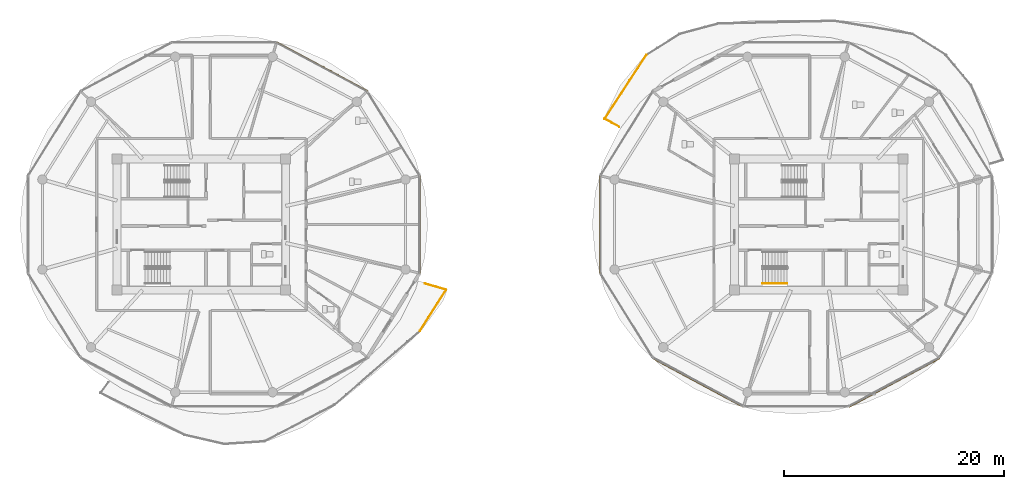
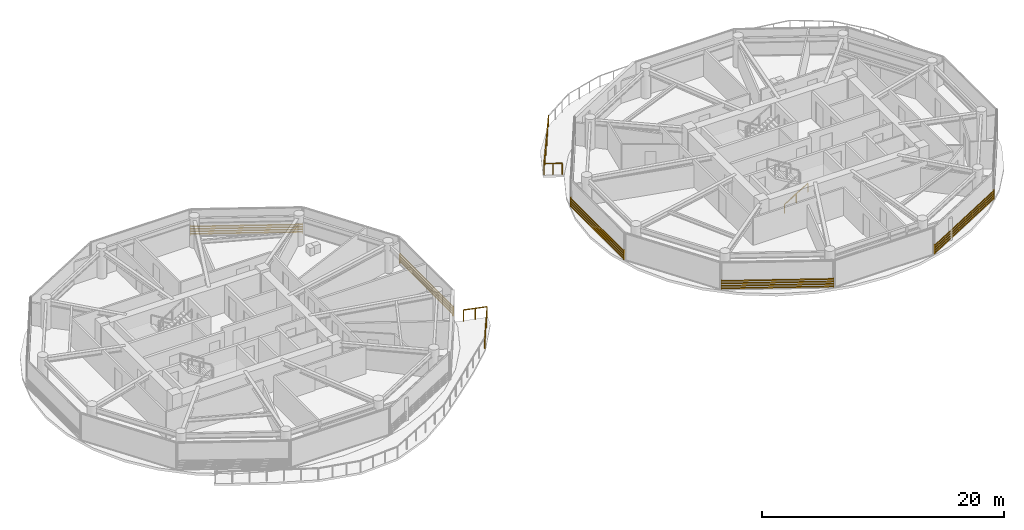
# One storey, part 21 of 24: 5 shading devices, 3 railings.
"""IFC4 building model written with IfcOpenShell, lengths in metres."""

from ifc_helpers import new_model, si_unit, direction, frame, origin, origin_2d, place, context, subcontext, project, spatial, rectangle, extrude, source, transform, mapped, material, type_object, type_shapes, element, save


model = new_model("IFC4")

# Units and contexts
model_context = context("Model", 3, precision=1e-05, world=origin(), true_north=direction((0.0, 1.0)))
body_context = subcontext(model_context, "Body", "Model", "MODEL_VIEW")
ifc_project = project(units=[si_unit("LENGTHUNIT", "METRE"), si_unit("AREAUNIT", "SQUARE_METRE"), si_unit("VOLUMEUNIT", "CUBIC_METRE"), si_unit("PLANEANGLEUNIT", "RADIAN"), si_unit("MASSUNIT", "GRAM", prefix="KILO")], contexts=[model_context])

# Site, building, storey
site_placement = place(None, origin())
site = spatial("IfcSite", under=ifc_project, at=site_placement, CompositionType="ELEMENT")
building_placement = place(site_placement, origin())
building = spatial("IfcBuilding", under=site, at=building_placement, Name="Norrkilde Senior Care Towers", CompositionType="ELEMENT")
storey_placement = place(building_placement, frame((0.0, 0.0, 114.550048828125)))
storey = spatial("IfcBuildingStorey", under=building, at=storey_placement, Name="L35", CompositionType="ELEMENT", Elevation=114.550048828125)

# Railings
ifc_material_1 = material(Name="Anodised Aluminium", Category="aluminium")
railing_type_1 = type_object("IfcRailingType", Name="Balcony Swirl Ribbon Guardrail 1150", PredefinedType="GUARDRAIL", material=ifc_material_1)
railing_1_placement = place(storey_placement, frame((9.902587890625, 8.864501953125, 0.0)))
element("IfcRailing", 1, at=railing_1_placement, inside=storey, type_object=railing_type_1, Name="L35 Perimeter Safety Guard 02", PredefinedType="GUARDRAIL", context=body_context, shape_type="SweptSolid", body=[
    extrude(rectangle(XDim=0.048095703125, YDim=0.048095703125, at=origin_2d()), frame((0.0, 0.0, 1.1259765625), z_axis=(-0.877400908701, 0.479757902916, 0.0), x_axis=(-0.479757902916, -0.877400908701, 0.0)), (0.0, 0.0, 1.0), 1.469482421875),
    extrude(rectangle(XDim=0.048095703125, YDim=0.048095703125, at=origin_2d()), frame((-1.302734375, 0.7587890625, 1.1259765625), z_axis=(0.547545713418, 0.836775771469, 0.0), x_axis=(-0.836775771469, 0.547545713418, 0.0)), (0.0, 0.0, 1.0), 6.861328125),
    extrude(rectangle(XDim=0.0419921875, YDim=0.0419921875, at=origin_2d()), origin(), (0.0, 0.0, 1.0), 1.099853515625),
    extrude(rectangle(XDim=0.0419921875, YDim=0.0419921875, at=origin_2d()), frame((-0.66259765625, 0.3623046875, 0.0)), (0.0, 0.0, 1.0), 1.099853515625),
    extrude(rectangle(XDim=0.0419921875, YDim=0.0419921875, at=origin_2d()), frame((-1.3251953125, 0.724609375, 0.0)), (0.0, 0.0, 1.0), 1.099853515625),
    extrude(rectangle(XDim=0.0419921875, YDim=0.0419921875, at=origin_2d()), frame((-0.5693359375, 1.879638671875, 0.0)), (0.0, 0.0, 1.0), 1.099853515625),
    extrude(rectangle(XDim=0.0419921875, YDim=0.0419921875, at=origin_2d()), frame((0.1865234375, 3.034912109375, 0.0)), (0.0, 0.0, 1.0), 1.099853515625),
    extrude(rectangle(XDim=0.0419921875, YDim=0.0419921875, at=origin_2d()), frame((0.9423828125, 4.18994140625, 0.0)), (0.0, 0.0, 1.0), 1.099853515625),
    extrude(rectangle(XDim=0.0419921875, YDim=0.0419921875, at=origin_2d()), frame((1.6982421875, 5.34521484375, 0.0)), (0.0, 0.0, 1.0), 1.099853515625),
    extrude(rectangle(XDim=0.0419921875, YDim=0.0419921875, at=origin_2d()), frame((2.4541015625, 6.500244140625, 0.0)), (0.0, 0.0, 1.0), 1.099853515625),
])
railing_2_placement = place(storey_placement, frame((-7.724365234375, -5.359619140625, 0.0)))
element("IfcRailing", 2, at=railing_2_placement, inside=storey, type_object=railing_type_1, Name="L35 Perimeter Safety Guard 04", PredefinedType="GUARDRAIL", context=body_context, shape_type="SweptSolid", body=[
    extrude(rectangle(XDim=0.048095703125, YDim=0.048095703125, at=origin_2d()), frame((0.0, 0.0, 1.1259765625), z_axis=(0.960555728551, -0.278087562375, 0.0), x_axis=(0.278087562375, 0.960555728551, 0.0)), (0.0, 0.0, 1.0), 1.969482421875),
    extrude(rectangle(XDim=0.048095703125, YDim=0.048095703125, at=origin_2d()), frame((1.9091796875, -0.593505859375, 1.1259765625), z_axis=(-0.537578812508, -0.843213508159, 0.0), x_axis=(0.843213508159, -0.537578812508, 0.0)), (0.0, 0.0, 1.0), 4.4052734375),
    extrude(rectangle(XDim=0.0419921875, YDim=0.0419921875, at=origin_2d()), origin(), (0.0, 0.0, 1.0), 1.099853515625),
    extrude(rectangle(XDim=0.0419921875, YDim=0.0419921875, at=origin_2d()), frame((0.965576171875, -0.279541015625, 0.0)), (0.0, 0.0, 1.0), 1.099853515625),
    extrude(rectangle(XDim=0.0419921875, YDim=0.0419921875, at=origin_2d()), frame((1.93115234375, -0.55908203125, 0.0)), (0.0, 0.0, 1.0), 1.099853515625),
    extrude(rectangle(XDim=0.0419921875, YDim=0.0419921875, at=origin_2d()), frame((1.134521484375, -1.808837890625, 0.0)), (0.0, 0.0, 1.0), 1.099853515625),
    extrude(rectangle(XDim=0.0419921875, YDim=0.0419921875, at=origin_2d()), frame((0.337646484375, -3.058349609375, 0.0)), (0.0, 0.0, 1.0), 1.099853515625),
    extrude(rectangle(XDim=0.0419921875, YDim=0.0419921875, at=origin_2d()), frame((-0.458984375, -4.30810546875, 0.0)), (0.0, 0.0, 1.0), 1.099853515625),
])
ifc_material_2 = material(Name="Nordic Ash Timber", Category="wood")
railing_type_2 = type_object("IfcRailingType", Name="Wall and Stair Handrail 900", PredefinedType="HANDRAIL", material=ifc_material_2)
railing_3_placement = place(storey_placement, frame((22.89990234375, -5.35009765625, 0.16943359375)))
element("IfcRailing", 3, at=railing_3_placement, inside=storey, type_object=railing_type_2, Name="L35 ST-E2 stair handrail 1", PredefinedType="HANDRAIL", context=body_context, shape_type="SweptSolid", body=[
    extrude(rectangle(XDim=0.048095703125, YDim=0.048095703125, at=origin_2d()), frame((0.0, 0.0, 0.8759765625), z_axis=(0.855553338991, 0.0, 0.51771467445), x_axis=(0.0, 1.0, 0.0)), (0.0, 0.0, 1.0), 2.6181640625),
    extrude(rectangle(XDim=0.0419921875, YDim=0.0419921875, at=origin_2d()), origin(), (0.0, 0.0, 1.0), 0.849853515625),
    extrude(rectangle(XDim=0.0419921875, YDim=0.0419921875, at=origin_2d()), frame((1.1201171875, 0.0, 0.677734375)), (0.0, 0.0, 1.0), 0.849853515625),
    extrude(rectangle(XDim=0.0419921875, YDim=0.0419921875, at=origin_2d()), frame((2.239990234375, 0.0, 1.35546875)), (0.0, 0.0, 1.0), 0.849853515625),
])

# Shading devices
ifc_material_3 = material(Name="Architectural Terracotta", Category="masonry")
shading_device_type = type_object("IfcShadingDeviceType", Name="Horizontal Terracotta Baguette Rack", PredefinedType="USERDEFINED", material=ifc_material_3)
shared_shape_1 = source(origin(), body_context, "Body", "SweptSolid", [
    extrude(rectangle(XDim=0.070068359375, YDim=0.110107421875, at=origin_2d()), frame((0.0, 0.090087890625, 0.125), z_axis=(1.0, 0.0, 0.0), x_axis=(0.0, 1.0, 0.0)), (0.0, 0.0, 1.0), 9.3505859375),
    extrude(rectangle(XDim=0.070068359375, YDim=0.110107421875, at=origin_2d()), frame((0.0, 0.090087890625, 0.375), z_axis=(1.0, 0.0, 0.0), x_axis=(0.0, 1.0, 0.0)), (0.0, 0.0, 1.0), 9.3505859375),
    extrude(rectangle(XDim=0.070068359375, YDim=0.110107421875, at=origin_2d()), frame((0.0, 0.090087890625, 0.625), z_axis=(1.0, 0.0, 0.0), x_axis=(0.0, 1.0, 0.0)), (0.0, 0.0, 1.0), 9.3505859375),
    extrude(rectangle(XDim=0.070068359375, YDim=0.110107421875, at=origin_2d()), frame((0.0, 0.090087890625, 0.875), z_axis=(1.0, 0.0, 0.0), x_axis=(0.0, 1.0, 0.0)), (0.0, 0.0, 1.0), 9.3505859375),
    extrude(rectangle(XDim=0.050048828125, YDim=0.1552734375, at=origin_2d()), frame((0.02490234375, 0.047607421875, 0.0)), (0.0, 0.0, 1.0), 1.0),
    extrude(rectangle(XDim=0.050048828125, YDim=0.1552734375, at=origin_2d()), frame((9.32568359375, 0.047607421875, 0.0)), (0.0, 0.0, 1.0), 1.0),
])
for number, where, z_axis, x_axis, name in (
    (4, (-21.19287109375, 16.498046875, 0.079833984375), (0.0, 0.0, 1.0), (0.881174934726, -0.472767624021, 0.0), "L35 Drum W Terracotta Baguette Screen 01"),
    (5, (21.19287109375, -16.498046875, 0.079833984375), (0.0, 0.0, 1.0), (-0.881174934726, 0.472767624021, 0.0), "L35 Drum E Terracotta Baguette Screen 07"),
    (6, (38.946533203125, -12.077392578125, 0.079833984375), (0.0, 0.0, 1.0), (-0.881174934726, -0.472767624021, 0.0), "L35 Drum E Terracotta Baguette Screen 09"),
):
    element("IfcShadingDevice", number, at=place(storey_placement, frame(where, z_axis=z_axis, x_axis=x_axis)), inside=storey, type_object=shading_device_type, Name=name, ObjectType="BAGUETTE", PredefinedType="USERDEFINED", context=body_context, shape_type="MappedRepresentation", body=[
        mapped(shared_shape_1, transform((0.0, 0.0, 0.0), x_axis=(1.0, 0.0, 0.0), y_axis=(0.0, 1.0, 0.0), z_axis=(0.0, 0.0, 1.0), scale=1.0)),
    ])
shared_shape_2 = source(origin(), body_context, "Body", "SweptSolid", [
    extrude(rectangle(XDim=0.070068359375, YDim=0.110107421875, at=origin_2d()), frame((0.0, 0.090087890625, 0.125), z_axis=(1.0, 0.0, 0.0), x_axis=(0.0, 1.0, 0.0)), (0.0, 0.0, 1.0), 8.84130859375),
    extrude(rectangle(XDim=0.070068359375, YDim=0.110107421875, at=origin_2d()), frame((0.0, 0.090087890625, 0.375), z_axis=(1.0, 0.0, 0.0), x_axis=(0.0, 1.0, 0.0)), (0.0, 0.0, 1.0), 8.84130859375),
    extrude(rectangle(XDim=0.070068359375, YDim=0.110107421875, at=origin_2d()), frame((0.0, 0.090087890625, 0.625), z_axis=(1.0, 0.0, 0.0), x_axis=(0.0, 1.0, 0.0)), (0.0, 0.0, 1.0), 8.84130859375),
    extrude(rectangle(XDim=0.070068359375, YDim=0.110107421875, at=origin_2d()), frame((0.0, 0.090087890625, 0.875), z_axis=(1.0, 0.0, 0.0), x_axis=(0.0, 1.0, 0.0)), (0.0, 0.0, 1.0), 8.84130859375),
    extrude(rectangle(XDim=0.050048828125, YDim=0.1552734375, at=origin_2d()), frame((0.02490234375, 0.047607421875, 0.0)), (0.0, 0.0, 1.0), 1.0),
    extrude(rectangle(XDim=0.050048828125, YDim=0.1552734375, at=origin_2d()), frame((8.81640625, 0.047607421875, 0.0)), (0.0, 0.0, 1.0), 1.0),
])
type_shapes(shading_device_type, [shared_shape_1, shared_shape_2])
for number, where, z_axis, x_axis, name in (
    (7, (-8.1962890625, 4.420654296875, 0.079833984375), (0.0, 0.0, 1.0), (0.0, -1.0, 0.0), "L35 Drum W Terracotta Baguette Screen 11"),
    (8, (8.1962890625, -4.420654296875, 0.079833984375), (0.0, 0.0, 1.0), (0.0, 1.0, 0.0), "L35 Drum E Terracotta Baguette Screen 05"),
):
    element("IfcShadingDevice", number, at=place(storey_placement, frame(where, z_axis=z_axis, x_axis=x_axis)), inside=storey, type_object=shading_device_type, Name=name, ObjectType="BAGUETTE", PredefinedType="USERDEFINED", context=body_context, shape_type="MappedRepresentation", body=[
        mapped(shared_shape_2, transform((0.0, 0.0, 0.0), x_axis=(1.0, 0.0, 0.0), y_axis=(0.0, 1.0, 0.0), z_axis=(0.0, 0.0, 1.0), scale=1.0)),
    ])

save(model, "model.ifc")
